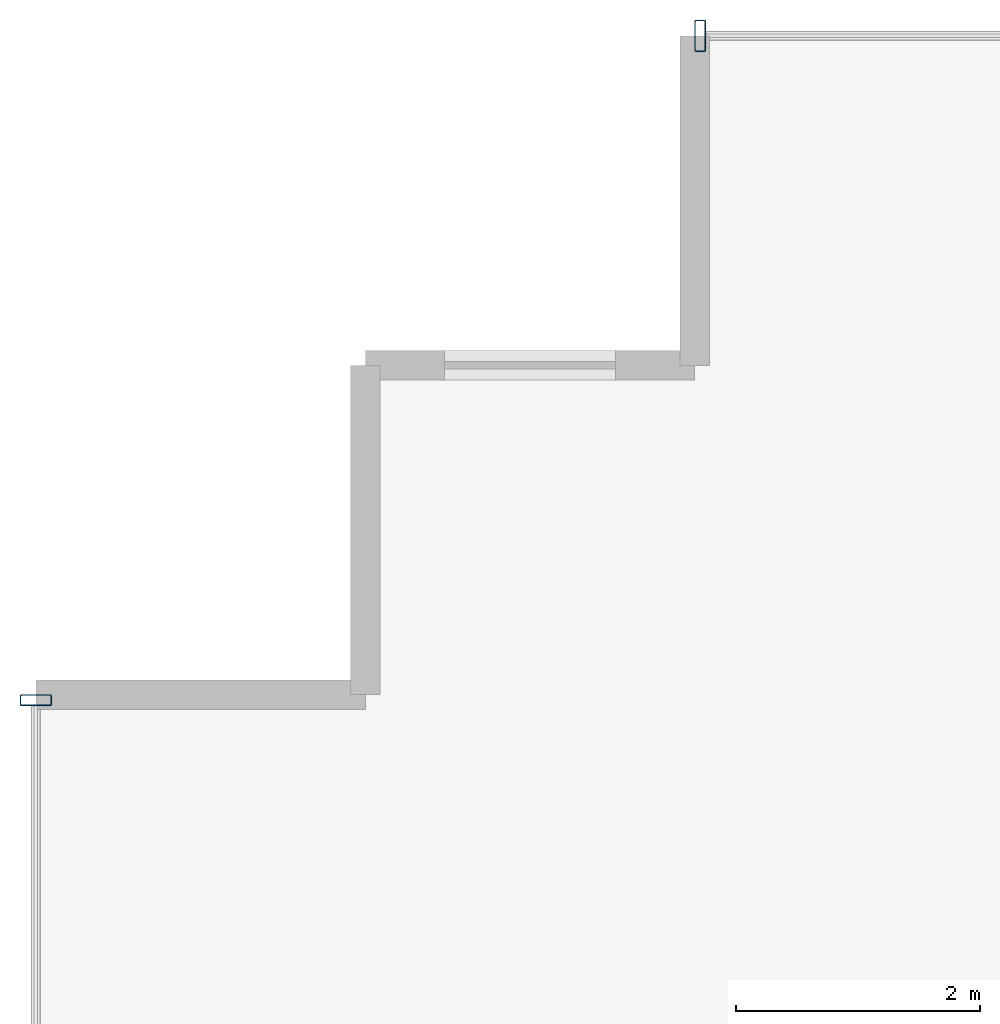
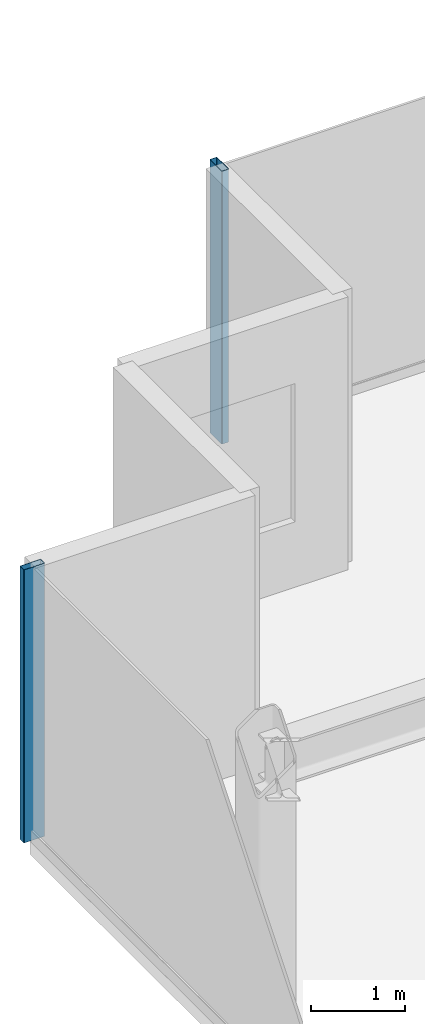
# One storey, part 8 of 17: 2 members, 2 elements without a shape of their own.
"""IFC4 building model written with IfcOpenShell, lengths in metres."""

from ifc_helpers import new_model, si_unit, direction, frame, origin, origin_2d, place, context, subcontext, project, spatial, hollow_rectangle, extrude, source, transform, mapped, material, layer, layer_set, material_profile, profile_set, type_object, element, aggregate, save


model = new_model("IFC4")

# Units and contexts
model_context = context("Model", 3, precision=1e-05, world=origin(), true_north=direction((0.0, 1.0)))
body_context = subcontext(model_context, "Body", "Model", "MODEL_VIEW")
ifc_project = project(units=[si_unit("LENGTHUNIT", "METRE"), si_unit("AREAUNIT", "SQUARE_METRE"), si_unit("VOLUMEUNIT", "CUBIC_METRE"), si_unit("PLANEANGLEUNIT", "RADIAN"), si_unit("MASSUNIT", "GRAM", prefix="KILO")], contexts=[model_context])

# Site, building, storey
site_placement = place(None, origin())
site = spatial("IfcSite", under=ifc_project, at=site_placement, CompositionType="ELEMENT")
building_placement = place(site_placement, origin())
building = spatial("IfcBuilding", under=site, at=building_placement, Name="Nefas-Gora Pilgrimage Tower", CompositionType="ELEMENT")
storey_placement = place(building_placement, frame((0.0, 0.0, 337.60009765625)))
storey = spatial("IfcBuildingStorey", under=building, at=storey_placement, Name="L85", CompositionType="ELEMENT", Elevation=337.60009765625)

# Curtain wall, member
ifc_material_1 = material(Name="Dark ceramic-fritted solar-control aluminium-glass curtain wall", Category="aluminium")
ifc_layer = layer(ifc_material_1, 0.219970703125)
ifc_layer_set = layer_set([ifc_layer], Name="Dark ceramic-fritted solar-control aluminium-glass curtain wall")
curtain_wall_type = type_object("IfcCurtainWallType", Name="CW-SYS-4", PredefinedType="NOTDEFINED", material=ifc_layer_set)
curtain_wall_1_placement = place(storey_placement, origin())
curtain_wall_1 = element("IfcCurtainWall", 1, at=curtain_wall_1_placement, inside=storey, type_object=curtain_wall_type, Name="L85 Unitised Curtain Wall CW4", PredefinedType="NOTDEFINED")
ifc_material_2 = material(Name="Anodised architectural aluminium", Category="aluminium")
ifc_material_profile = material_profile(ifc_material_2, hollow_rectangle(XDim=0.090087890625, YDim=0.260009765625, WallThickness=0.006103515625, InnerFilletRadius=0.006103515625, OuterFilletRadius=0.011962890625, at=origin_2d()), Name="ALU MULLION 90x260")
ifc_profile_set = profile_set([ifc_material_profile], Name="Anodised architectural aluminium")
member_type = type_object("IfcMemberType", Name="CWM-MUL-4", PredefinedType="MULLION", material=ifc_profile_set)
shared_shape = source(origin(), body_context, "Body", "SweptSolid", [
    extrude(hollow_rectangle(XDim=0.090087890625, YDim=0.260009765625, WallThickness=0.006103515625, InnerFilletRadius=0.006103515625, OuterFilletRadius=0.011962890625, at=origin_2d()), origin(), (0.0, 0.0, 1.0), 3.5498046875),
])
member_1_placement = place(storey_placement, frame((-19.824951171875, 23.02001953125, 0.0), z_axis=(0.0, 0.0, 1.0), x_axis=(-1.0, 0.0, 0.0)))
member_1 = element("IfcMember", 2, at=member_1_placement, type_object=member_type, Name="CW4 Mullion 2", PredefinedType="MULLION", context=body_context, shape_type="MappedRepresentation", body=[
    mapped(shared_shape, transform((0.0, 0.0, 0.0), x_axis=(1.0, 0.0, 0.0), y_axis=(0.0, 1.0, 0.0), z_axis=(0.0, 0.0, 1.0), scale=1.0)),
])
aggregate(curtain_wall_1, [member_1])

curtain_wall_2_placement = place(storey_placement, origin())
curtain_wall_2 = element("IfcCurtainWall", 3, at=curtain_wall_2_placement, inside=storey, type_object=curtain_wall_type, Name="L85 Unitised Curtain Wall CW4", PredefinedType="NOTDEFINED")
member_2_placement = place(storey_placement, frame((-25.27001953125, 17.574951171875, 0.0), z_axis=(0.0, 0.0, 1.0), x_axis=(0.0, -1.0, 0.0)))
member_2 = element("IfcMember", 4, at=member_2_placement, type_object=member_type, Name="CW4 Mullion 1", PredefinedType="MULLION", context=body_context, shape_type="MappedRepresentation", body=[
    mapped(shared_shape, transform((0.0, 0.0, 0.0), x_axis=(1.0, 0.0, 0.0), y_axis=(0.0, 1.0, 0.0), z_axis=(0.0, 0.0, 1.0), scale=1.0)),
])
aggregate(curtain_wall_2, [member_2])

save(model, "model.ifc")
